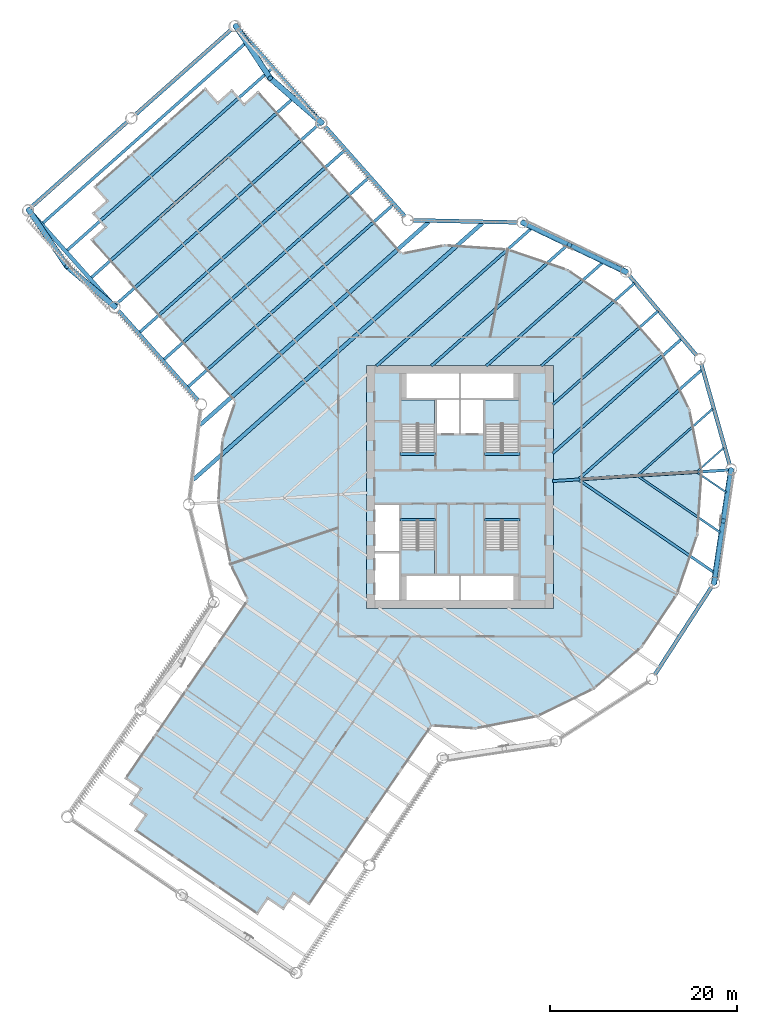
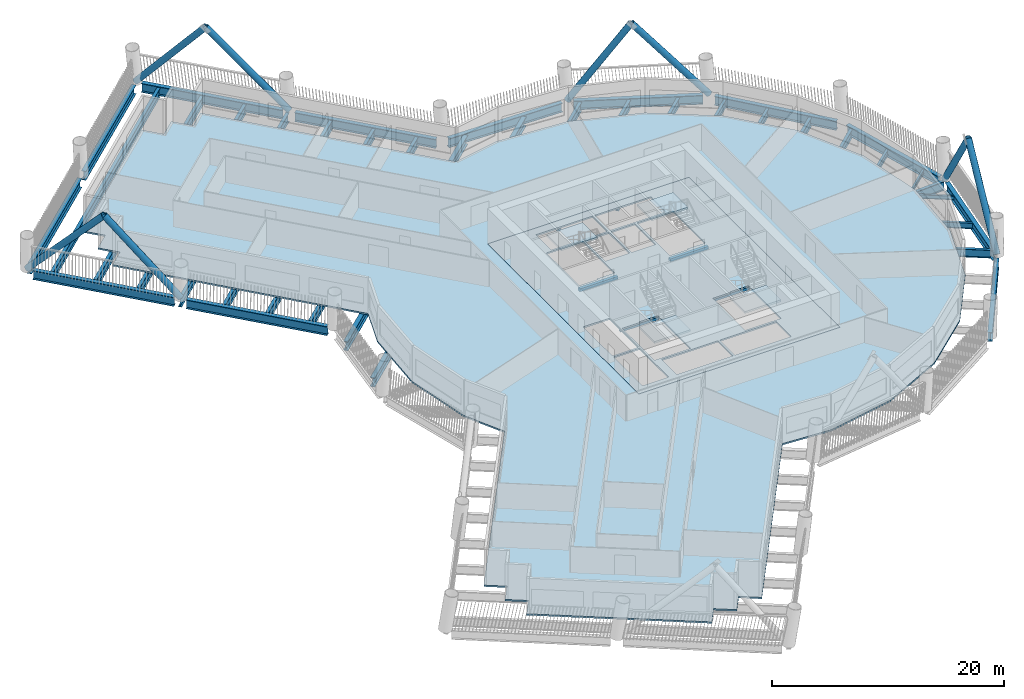
# One storey, part 2 of 22: 38 beams, 8 members, 6 slabs, 4 elements without a shape of their own.
"""IFC4 building model written with IfcOpenShell, lengths in metres."""

from ifc_helpers import new_model, si_unit, direction, frame, origin, origin_2d, place, context, subcontext, project, spatial, polyline, rectangle, hollow_circle, i_section, outline, extrude, material, layer, layer_set, material_profile, profile_set, type_object, element, aggregate, save


model = new_model("IFC4")

# Units and contexts
model_context = context("Model", 3, precision=1e-05, world=origin(), true_north=direction((0.0, 1.0)))
body_context = subcontext(model_context, "Body", "Model", "MODEL_VIEW")
ifc_project = project(units=[si_unit("LENGTHUNIT", "METRE"), si_unit("AREAUNIT", "SQUARE_METRE"), si_unit("VOLUMEUNIT", "CUBIC_METRE"), si_unit("PLANEANGLEUNIT", "RADIAN"), si_unit("MASSUNIT", "GRAM", prefix="KILO")], contexts=[model_context])

# Site, building, storey
site_placement = place(None, origin())
site = spatial("IfcSite", under=ifc_project, at=site_placement, CompositionType="ELEMENT")
building_placement = place(site_placement, origin())
building = spatial("IfcBuilding", under=site, at=building_placement, Name="Tarsis Ring Headquarters", CompositionType="ELEMENT")
storey_placement = place(building_placement, frame((0.0, 0.0, 55.60009765625)))
storey = spatial("IfcBuildingStorey", under=building, at=storey_placement, Name="L11", CompositionType="ELEMENT", Elevation=55.60009765625)

# Beams
ifc_material_1 = material(Name="Structural steel S355", Category="steel")
ifc_material_profile_1 = material_profile(ifc_material_1, i_section(OverallWidth=0.177734375, OverallDepth=0.406494140625, WebThickness=0.0078125, FlangeThickness=0.0126953125, at=origin_2d()), Name="W16x40")
ifc_profile_set_1 = profile_set([ifc_material_profile_1], Name="Structural steel S355")
beam_type_1 = type_object("IfcBeamType", Name="FB Floor beam W16x40", PredefinedType="JOIST", material=ifc_profile_set_1)
for number, where, z_axis, x_axis, name in (
    (1, (25.413818359375, 1.50537109375, -0.36328125), (0.825089534919, -0.565001999436, 0.0), (0.565001999436, 0.825089534919, 0.0), "Floor beam FB1"),
    (2, (28.199951171875, 4.176025390625, -0.36328125), (-0.747754812852, -0.663974954239, 0.0), (0.663974954239, -0.747754812852, 0.0), "Floor beam FB1"),
):
    element("IfcBeam", number, at=place(storey_placement, frame(where, z_axis=z_axis, x_axis=x_axis)), inside=storey, type_object=beam_type_1, Name=name, PredefinedType="JOIST", context=body_context, shape_type="SweptSolid", body=[
        extrude(i_section(OverallWidth=0.177734375, OverallDepth=0.406494140625, WebThickness=0.0078125, FlangeThickness=0.0126953125, at=origin_2d()), origin(), (0.0, 0.0, 1.0), 3.74169921875),
    ])
ifc_material_profile_2 = material_profile(ifc_material_1, i_section(OverallWidth=0.228271484375, OverallDepth=0.607177734375, WebThickness=0.01123046875, FlangeThickness=0.017333984375, at=origin_2d()), Name="W24x76")
ifc_profile_set_2 = profile_set([ifc_material_profile_2], Name="Structural steel S355")
beam_type_2 = type_object("IfcBeamType", Name="FB Floor beam W24x76", PredefinedType="JOIST", material=ifc_profile_set_2)
for number, where, z_axis, x_axis, name in (
    (3, (19.091552734375, 1.107666015625, -0.463623046875), (0.825108185266, -0.564974762805, 0.0), (0.564974762805, 0.825108185266, 0.0), "Floor beam FB4"),
    (4, (27.0224609375, 8.345703125, -0.463623046875), (-0.747799791026, -0.663924297298, 0.0), (0.663924297298, -0.747799791026, 0.0), "Floor beam FB4"),
):
    element("IfcBeam", number, at=place(storey_placement, frame(where, z_axis=z_axis, x_axis=x_axis)), inside=storey, type_object=beam_type_2, Name=name, PredefinedType="JOIST", context=body_context, shape_type="SweptSolid", body=[
        extrude(i_section(OverallWidth=0.228271484375, OverallDepth=0.607177734375, WebThickness=0.01123046875, FlangeThickness=0.017333984375, at=origin_2d()), origin(), (0.0, 0.0, 1.0), 10.621337890625),
    ])
ifc_material_profile_3 = material_profile(ifc_material_1, i_section(OverallWidth=0.2666015625, OverallDepth=0.7568359375, WebThickness=0.013916015625, FlangeThickness=0.019287109375, at=origin_2d()), Name="W30x108")
ifc_profile_set_3 = profile_set([ifc_material_profile_3], Name="Structural steel S355")
beam_type_3 = type_object("IfcBeamType", Name="FB Floor beam W30x108", PredefinedType="JOIST", material=ifc_profile_set_3)
beam_1_placement = place(storey_placement, frame((21.157470703125, 18.784423828125, -0.53857421875), z_axis=(-0.747797493331, -0.663926885258, 0.0), x_axis=(0.663926885258, -0.747797493331, 0.0)))
element("IfcBeam", 5, at=beam_1_placement, inside=storey, type_object=beam_type_3, Name="Floor beam FB6", PredefinedType="JOIST", context=body_context, shape_type="SweptSolid", body=[
    extrude(i_section(OverallWidth=0.2666015625, OverallDepth=0.7568359375, WebThickness=0.013916015625, FlangeThickness=0.019287109375, at=origin_2d()), origin(), (0.0, 0.0, 1.0), 15.020263671875),
])
beam_2_placement = place(storey_placement, frame((18.643798828125, 21.76806640625, -0.53857421875), z_axis=(-0.747795884989, -0.663928696769, 0.0), x_axis=(0.663928696769, -0.747795884989, 0.0)))
element("IfcBeam", 6, at=beam_2_placement, inside=storey, type_object=beam_type_3, Name="Floor beam FB6", PredefinedType="JOIST", context=body_context, shape_type="SweptSolid", body=[
    extrude(i_section(OverallWidth=0.2666015625, OverallDepth=0.7568359375, WebThickness=0.013916015625, FlangeThickness=0.019287109375, at=origin_2d()), origin(), (0.0, 0.0, 1.0), 13.306396484375),
])
ifc_material_profile_4 = material_profile(ifc_material_1, i_section(OverallWidth=0.2919921875, OverallDepth=0.835693359375, WebThickness=0.013916015625, FlangeThickness=0.018798828125, at=origin_2d()), Name="W33x118")
ifc_profile_set_4 = profile_set([ifc_material_profile_4], Name="Structural steel S355")
beam_type_4 = type_object("IfcBeamType", Name="FB Floor beam W33x118", PredefinedType="JOIST", material=ifc_profile_set_4)
beam_3_placement = place(storey_placement, frame((12.76953125, 0.709716796875, -0.577880859375), z_axis=(0.825114222839, -0.564965945229, 0.0), x_axis=(0.564965945229, 0.825114222839, 0.0)))
element("IfcBeam", 7, at=beam_3_placement, inside=storey, type_object=beam_type_4, Name="Floor beam FB7", PredefinedType="JOIST", context=body_context, shape_type="SweptSolid", body=[
    extrude(i_section(OverallWidth=0.2919921875, OverallDepth=0.835693359375, WebThickness=0.013916015625, FlangeThickness=0.018798828125, at=origin_2d()), origin(), (0.0, 0.0, 1.0), 17.50048828125),
])
beam_4_placement = place(storey_placement, frame((25.8447265625, 12.515380859375, -0.577880859375), z_axis=(-0.747797108537, -0.663927318661, 0.0), x_axis=(0.663927318661, -0.747797108537, 0.0)))
element("IfcBeam", 8, at=beam_4_placement, inside=storey, type_object=beam_type_4, Name="Floor beam FB7", PredefinedType="JOIST", context=body_context, shape_type="SweptSolid", body=[
    extrude(i_section(OverallWidth=0.2919921875, OverallDepth=0.835693359375, WebThickness=0.013916015625, FlangeThickness=0.018798828125, at=origin_2d()), origin(), (0.0, 0.0, 1.0), 17.500732421875),
])
beam_5_placement = place(storey_placement, frame((15.308837890625, 24.0224609375, -0.577880859375), z_axis=(-0.747799526012, -0.663924595791, 0.0), x_axis=(0.663924595791, -0.747799526012, 0.0)))
element("IfcBeam", 9, at=beam_5_placement, inside=storey, type_object=beam_type_4, Name="Floor beam FB7", PredefinedType="JOIST", context=body_context, shape_type="SweptSolid", body=[
    extrude(i_section(OverallWidth=0.2919921875, OverallDepth=0.835693359375, WebThickness=0.013916015625, FlangeThickness=0.018798828125, at=origin_2d()), origin(), (0.0, 0.0, 1.0), 16.701904296875),
])
ifc_material_profile_5 = material_profile(ifc_material_1, i_section(OverallWidth=0.3046875, OverallDepth=0.904296875, WebThickness=0.01513671875, FlangeThickness=0.02001953125, at=origin_2d()), Name="W36x135")
ifc_profile_set_5 = profile_set([ifc_material_profile_5], Name="Structural steel S355")
beam_type_5 = type_object("IfcBeamType", Name="FB Floor beam W36x135", PredefinedType="JOIST", material=ifc_profile_set_5)
beam_6_placement = place(storey_placement, frame((23.671142578125, 15.80078125, -0.6123046875), z_axis=(-0.747799030531, -0.663925153867, 0.0), x_axis=(0.663925153867, -0.747799030531, 0.0)))
element("IfcBeam", 10, at=beam_6_placement, inside=storey, type_object=beam_type_5, Name="Floor beam FB8", PredefinedType="JOIST", context=body_context, shape_type="SweptSolid", body=[
    extrude(i_section(OverallWidth=0.3046875, OverallDepth=0.904296875, WebThickness=0.01513671875, FlangeThickness=0.02001953125, at=origin_2d()), origin(), (0.0, 0.0, 1.0), 18.3818359375),
])
beam_7_placement = place(storey_placement, frame((11.490234375, 25.847412109375, -0.6123046875), z_axis=(-0.747797690278, -0.663926663431, 0.0), x_axis=(0.663926663431, -0.747797690278, 0.0)))
element("IfcBeam", 11, at=beam_7_placement, inside=storey, type_object=beam_type_5, Name="Floor beam FB8", PredefinedType="JOIST", context=body_context, shape_type="SweptSolid", body=[
    extrude(i_section(OverallWidth=0.3046875, OverallDepth=0.904296875, WebThickness=0.01513671875, FlangeThickness=0.02001953125, at=origin_2d()), origin(), (0.0, 0.0, 1.0), 19.45068359375),
])
ifc_material_profile_6 = material_profile(ifc_material_1, i_section(OverallWidth=0.3046875, OverallDepth=0.91943359375, WebThickness=0.017333984375, FlangeThickness=0.02783203125, at=origin_2d()), Name="W36x170")
ifc_profile_set_6 = profile_set([ifc_material_profile_6], Name="Structural steel S355")
beam_type_6 = type_object("IfcBeamType", Name="FB Floor beam W36x170", PredefinedType="JOIST", material=ifc_profile_set_6)
beam_8_placement = place(storey_placement, frame((7.671630859375, 27.67236328125, -0.619873046875), z_axis=(-0.747801156845, -0.663922758927, 0.0), x_axis=(0.663922758927, -0.747801156845, 0.0)))
element("IfcBeam", 12, at=beam_8_placement, inside=storey, type_object=beam_type_6, Name="Floor beam FB9", PredefinedType="JOIST", context=body_context, shape_type="SweptSolid", body=[
    extrude(i_section(OverallWidth=0.3046875, OverallDepth=0.91943359375, WebThickness=0.017333984375, FlangeThickness=0.02783203125, at=origin_2d()), origin(), (0.0, 0.0, 1.0), 22.199462890625),
])
ifc_material_profile_7 = material_profile(ifc_material_1, i_section(OverallWidth=0.309814453125, OverallDepth=0.949951171875, WebThickness=0.0244140625, FlangeThickness=0.0439453125, at=origin_2d()), Name="W36x256")
ifc_profile_set_7 = profile_set([ifc_material_profile_7], Name="Structural steel S355")
beam_type_7 = type_object("IfcBeamType", Name="FB Floor beam W36x256", PredefinedType="JOIST", material=ifc_profile_set_7)
beam_9_placement = place(storey_placement, frame((-7.1416015625, 30.16650390625, -0.635009765625), z_axis=(-0.747798943027, -0.663925252425, 0.0), x_axis=(0.663925252425, -0.747798943027, 0.0)))
element("IfcBeam", 13, at=beam_9_placement, inside=storey, type_object=beam_type_7, Name="Floor beam FB11", PredefinedType="JOIST", context=body_context, shape_type="SweptSolid", body=[
    extrude(i_section(OverallWidth=0.309814453125, OverallDepth=0.949951171875, WebThickness=0.0244140625, FlangeThickness=0.0439453125, at=origin_2d()), origin(), (0.0, 0.0, 1.0), 29.3759765625),
])
for number, where, z_axis, x_axis, name in (
    (14, (-9.73095703125, 33.0830078125, -0.635009765625), (-0.747795279572, -0.663929378662, 0.0), (0.663929378662, -0.747795279572, 0.0), "Floor beam FB11"),
    (15, (-12.3203125, 35.99951171875, -0.635009765625), (-0.747795279572, -0.663929378662, 0.0), (0.663929378662, -0.747795279572, 0.0), "Floor beam FB11"),
):
    element("IfcBeam", number, at=place(storey_placement, frame(where, z_axis=z_axis, x_axis=x_axis)), inside=storey, type_object=beam_type_7, Name=name, PredefinedType="JOIST", context=body_context, shape_type="SweptSolid", body=[
        extrude(i_section(OverallWidth=0.309814453125, OverallDepth=0.949951171875, WebThickness=0.0244140625, FlangeThickness=0.0439453125, at=origin_2d()), origin(), (0.0, 0.0, 1.0), 29.375732421875),
    ])
for number, where, z_axis, x_axis, name in (
    (16, (-14.909423828125, 38.915771484375, -0.635009765625), (-0.747798943027, -0.663925252425, 0.0), (0.663925252425, -0.747798943027, 0.0), "Floor beam FB11"),
    (17, (-17.498779296875, 41.832275390625, -0.635009765625), (-0.747798943027, -0.663925252425, 0.0), (0.663925252425, -0.747798943027, 0.0), "Floor beam FB11"),
):
    element("IfcBeam", number, at=place(storey_placement, frame(where, z_axis=z_axis, x_axis=x_axis)), inside=storey, type_object=beam_type_7, Name=name, PredefinedType="JOIST", context=body_context, shape_type="SweptSolid", body=[
        extrude(i_section(OverallWidth=0.309814453125, OverallDepth=0.949951171875, WebThickness=0.0244140625, FlangeThickness=0.0439453125, at=origin_2d()), origin(), (0.0, 0.0, 1.0), 29.3759765625),
    ])
for number, where, z_axis, x_axis, name in (
    (18, (-20.088134765625, 44.74853515625, -0.635009765625), (-0.747803069257, -0.663920604899, 0.0), (0.663920604899, -0.747803069257, 0.0), "Floor beam FB11"),
    (19, (-22.677490234375, 47.6650390625, -0.635009765625), (-0.747795279572, -0.663929378662, 0.0), (0.663929378662, -0.747795279572, 0.0), "Floor beam FB11"),
):
    element("IfcBeam", number, at=place(storey_placement, frame(where, z_axis=z_axis, x_axis=x_axis)), inside=storey, type_object=beam_type_7, Name=name, PredefinedType="JOIST", context=body_context, shape_type="SweptSolid", body=[
        extrude(i_section(OverallWidth=0.309814453125, OverallDepth=0.949951171875, WebThickness=0.0244140625, FlangeThickness=0.0439453125, at=origin_2d()), origin(), (0.0, 0.0, 1.0), 29.375732421875),
    ])
beam_type_8 = type_object("IfcBeamType", Name="FB Floor beam W36x256 spine", PredefinedType="BEAM", material=ifc_profile_set_7)
beam_10_placement = place(storey_placement, frame((28.87451171875, 1.816650390625, -0.635009765625), z_axis=(-0.998026458854, -0.062794804151, 0.0), x_axis=(0.062794804151, -0.998026458854, 0.0)))
element("IfcBeam", 20, at=beam_10_placement, inside=storey, type_object=beam_type_8, Name="Floor beam SB11", PredefinedType="BEAM", context=body_context, shape_type="SweptSolid", body=[
    extrude(i_section(OverallWidth=0.309814453125, OverallDepth=0.949951171875, WebThickness=0.0244140625, FlangeThickness=0.0439453125, at=origin_2d()), origin(), (0.0, 0.0, 1.0), 19.011962890625),
])
ifc_material_profile_8 = material_profile(ifc_material_1, i_section(OverallWidth=0.42431640625, OverallDepth=0.947509765625, WebThickness=0.02392578125, FlangeThickness=0.042724609375, at=origin_2d()), Name="W36x302")
ifc_profile_set_8 = profile_set([ifc_material_profile_8], Name="Structural steel S355")
beam_type_9 = type_object("IfcBeamType", Name="FB Floor beam W36x302", PredefinedType="JOIST", material=ifc_profile_set_8)
beam_11_placement = place(storey_placement, frame((2.39990234375, 28.207275390625, -0.6337890625), z_axis=(-0.747799736517, -0.663924358693, 0.0), x_axis=(0.663924358693, -0.747799736517, 0.0)))
element("IfcBeam", 21, at=beam_11_placement, inside=storey, type_object=beam_type_9, Name="Floor beam FB12", PredefinedType="JOIST", context=body_context, shape_type="SweptSolid", body=[
    extrude(i_section(OverallWidth=0.42431640625, OverallDepth=0.947509765625, WebThickness=0.02392578125, FlangeThickness=0.042724609375, at=origin_2d()), origin(), (0.0, 0.0, 1.0), 41.35302734375),
])
beam_12_placement = place(storey_placement, frame((-3.338623046875, 28.32763671875, -0.6337890625), z_axis=(-0.747796752599, -0.663927719562, 0.0), x_axis=(0.663927719562, -0.747796752599, 0.0)))
element("IfcBeam", 22, at=beam_12_placement, inside=storey, type_object=beam_type_9, Name="Floor beam FB12", PredefinedType="JOIST", context=body_context, shape_type="SweptSolid", body=[
    extrude(i_section(OverallWidth=0.42431640625, OverallDepth=0.947509765625, WebThickness=0.02392578125, FlangeThickness=0.042724609375, at=origin_2d()), origin(), (0.0, 0.0, 1.0), 32.704833984375),
])
ifc_material_2 = material(Name="Concrete C40/50", Category="concrete")
ifc_material_profile_9 = material_profile(ifc_material_2, rectangle(XDim=0.300048828125, YDim=0.300048828125, at=origin_2d()), Name="Stair head beam 300x300 C40/50")
ifc_profile_set_9 = profile_set([ifc_material_profile_9], Name="Concrete C40/50")
beam_type_10 = type_object("IfcBeamType", Name="Stair head beam 300x300 C40/50", PredefinedType="BEAM", material=ifc_profile_set_9)
for number, where, z_axis, x_axis, name in (
    (23, (-6.39990234375, 3.510009765625, -0.31005859375), (1.0, 0.0, 0.0), (0.0, 1.0, 0.0), "Stair head beam L11 Firefighting stair"),
    (24, (2.60009765625, 3.510009765625, -0.31005859375), (1.0, 0.0, 0.0), (0.0, 1.0, 0.0), "Stair head beam L11 Exit stair B"),
    (25, (-6.39990234375, -3.510009765625, -0.31005859375), (1.0, 0.0, 0.0), (0.0, 1.0, 0.0), "Stair head beam L11 Exit stair C"),
    (26, (2.60009765625, -3.510009765625, -0.31005859375), (1.0, 0.0, 0.0), (0.0, 1.0, 0.0), "Stair head beam L11 Exit stair D"),
):
    element("IfcBeam", number, at=place(storey_placement, frame(where, z_axis=z_axis, x_axis=x_axis)), inside=storey, type_object=beam_type_10, Name=name, PredefinedType="BEAM", context=body_context, shape_type="SweptSolid", body=[
        extrude(rectangle(XDim=0.300048828125, YDim=0.300048828125, at=origin_2d()), origin(), (0.0, 0.0, 1.0), 3.7998046875),
    ])

# Members
ifc_material_profile_10 = material_profile(ifc_material_1, hollow_circle(Radius=0.3046875, WallThickness=0.02490234375, at=origin_2d()), Name="CHS 610x25")
ifc_profile_set_10 = profile_set([ifc_material_profile_10], Name="Structural steel S355")
member_type = type_object("IfcMemberType", Name="XD X brace CHS 610x25", PredefinedType="BRACE", material=ifc_profile_set_10)
member_1_placement = place(storey_placement, frame((27.16552734375, -10.2880859375, 0.0), z_axis=(0.096685344129, 0.645470124234, 0.757641249505), x_axis=(-0.988966714958, 0.1481378976, 0.0)))
element("IfcMember", 27, at=member_1_placement, inside=storey, type_object=member_type, Name="X brace XD1", PredefinedType="BRACE", context=body_context, shape_type="SweptSolid", body=[
    extrude(hollow_circle(Radius=0.3046875, WallThickness=0.02490234375, at=origin_2d()), origin(), (0.0, 0.0, 1.0), 10.294921875),
])
member_2_placement = place(storey_placement, frame((28.9912109375, 1.823974609375, 0.0), z_axis=(-0.086843662058, -0.571799507342, 0.81578397984), x_axis=(0.988662334662, -0.150155879078, 0.0)))
element("IfcMember", 28, at=member_2_placement, inside=storey, type_object=member_type, Name="X brace XD1", PredefinedType="BRACE", context=body_context, shape_type="SweptSolid", body=[
    extrude(hollow_circle(Radius=0.3046875, WallThickness=0.02490234375, at=origin_2d()), origin(), (0.0, 0.0, 1.0), 9.56103515625),
])
member_3_placement = place(storey_placement, frame((17.77001953125, 22.979248046875, 0.0), z_axis=(-0.58914517156, 0.280877326086, 0.757638366583), x_axis=(-0.430348193906, -0.902662967005, 0.0)))
element("IfcMember", 29, at=member_3_placement, inside=storey, type_object=member_type, Name="X brace XD1", PredefinedType="BRACE", context=body_context, shape_type="SweptSolid", body=[
    extrude(hollow_circle(Radius=0.3046875, WallThickness=0.02490234375, at=origin_2d()), origin(), (0.0, 0.0, 1.0), 10.294921875),
])
member_4_placement = place(storey_placement, frame((6.71826171875, 28.260986328125, 0.0), z_axis=(0.521545181385, -0.249984201995, 0.815780928024), x_axis=(0.432228643278, 0.901764048923, 0.0)))
element("IfcMember", 30, at=member_4_placement, inside=storey, type_object=member_type, Name="X brace XD1", PredefinedType="BRACE", context=body_context, shape_type="SweptSolid", body=[
    extrude(hollow_circle(Radius=0.3046875, WallThickness=0.02490234375, at=origin_2d()), origin(), (0.0, 0.0, 1.0), 9.56103515625),
])
member_5_placement = place(storey_placement, frame((-14.7578125, 38.913818359375, 0.0), z_axis=(-0.517589121782, 0.447268235364, 0.729419376386), x_axis=(-0.653837084069, -0.756635359665, 0.0)))
element("IfcMember", 31, at=member_5_placement, inside=storey, type_object=member_type, Name="X brace XD1", PredefinedType="BRACE", context=body_context, shape_type="SweptSolid", body=[
    extrude(hollow_circle(Radius=0.3046875, WallThickness=0.02490234375, at=origin_2d()), origin(), (0.0, 0.0, 1.0), 10.693115234375),
])
member_6_placement = place(storey_placement, frame((-23.98779296875, 49.309814453125, 0.0), z_axis=(0.358918423468, -0.545206949813, 0.757579663911), x_axis=(0.835255509935, 0.549862012803, 0.0)))
element("IfcMember", 32, at=member_6_placement, inside=storey, type_object=member_type, Name="X brace XD1", PredefinedType="BRACE", context=body_context, shape_type="SweptSolid", body=[
    extrude(hollow_circle(Radius=0.3046875, WallThickness=0.02490234375, at=origin_2d()), origin(), (0.0, 0.0, 1.0), 10.295654296875),
])
member_7_placement = place(storey_placement, frame((-46.122802734375, 29.65771484375, 0.0), z_axis=(0.384079463149, -0.567214425362, 0.728526431674), x_axis=(0.828028869892, 0.560685464967, 0.0)))
element("IfcMember", 33, at=member_7_placement, inside=storey, type_object=member_type, Name="X brace XD1", PredefinedType="BRACE", context=body_context, shape_type="SweptSolid", body=[
    extrude(hollow_circle(Radius=0.3046875, WallThickness=0.02490234375, at=origin_2d()), origin(), (0.0, 0.0, 1.0), 10.706298828125),
])
member_8_placement = place(storey_placement, frame((-36.892578125, 19.261474609375, 0.0), z_axis=(-0.497765932867, 0.420479722626, 0.758568308683), x_axis=(-0.645309854794, -0.763920932627, 0.0)))
element("IfcMember", 34, at=member_8_placement, inside=storey, type_object=member_type, Name="X brace XD1", PredefinedType="BRACE", context=body_context, shape_type="SweptSolid", body=[
    extrude(hollow_circle(Radius=0.3046875, WallThickness=0.02490234375, at=origin_2d()), origin(), (0.0, 0.0, 1.0), 10.2822265625),
])

# Beams
beam_type_11 = type_object("IfcBeamType", Name="XG Ring girder W36x302", PredefinedType="BEAM", material=ifc_profile_set_8)
for number, where, z_axis, x_axis, name in (
    (35, (20.80810546875, -20.1103515625, -0.473876953125), (0.543357480604, 0.839501428392, 0.0), (-0.839501428392, 0.543357480604, 0.0), "Ring girder XG1"),
    (36, (27.247314453125, -9.74560546875, -0.473876953125), (0.149045908027, 0.988830277298, 0.0), (-0.988830277298, 0.149045908027, 0.0), "Ring girder XG1"),
    (37, (28.842041015625, 2.35205078125, -0.473876953125), (-0.27180230355, 0.962353109718, 0.0), (-0.962353109718, -0.27180230355, 0.0), "Ring girder XG1"),
    (38, (25.30859375, 14.03125, -0.473876953125), (-0.64430966635, 0.764764704891, 0.0), (-0.764764704891, -0.64430966635, 0.0), "Ring girder XG1"),
    (39, (17.27490234375, 23.2158203125, -0.473876953125), (-0.902254227711, 0.431204485805, 0.0), (-0.431204485805, -0.902254227711, 0.0), "Ring girder XG1"),
    (40, (6.169921875, 28.2724609375, -0.473876953125), (-0.99978049425, 0.020951451442, 0.0), (-0.020951451442, -0.99978049425, 0.0), "Ring girder XG1"),
):
    element("IfcBeam", number, at=place(storey_placement, frame(where, z_axis=z_axis, x_axis=x_axis)), inside=storey, type_object=beam_type_11, Name=name, PredefinedType="BEAM", context=body_context, shape_type="SweptSolid", body=[
        extrude(i_section(OverallWidth=0.42431640625, OverallDepth=0.947509765625, WebThickness=0.02392578125, FlangeThickness=0.042724609375, at=origin_2d()), origin(), (0.0, 0.0, 1.0), 11.151611328125),
    ])
for number, where, z_axis, x_axis, name in (
    (41, (-5.89208984375, 28.927978515625, -0.473876953125), (-0.663925857933, 0.747798405433, 0.0), (-0.747798405433, -0.663925857933, 0.0), "Ring girder XG1"),
    (42, (-15.1220703125, 39.323974609375, -0.473876953125), (-0.663916391939, 0.747806809621, 0.0), (-0.747806809621, -0.663916391939, 0.0), "Ring girder XG1"),
):
    element("IfcBeam", number, at=place(storey_placement, frame(where, z_axis=z_axis, x_axis=x_axis)), inside=storey, type_object=beam_type_11, Name=name, PredefinedType="BEAM", context=body_context, shape_type="SweptSolid", body=[
        extrude(i_section(OverallWidth=0.42431640625, OverallDepth=0.947509765625, WebThickness=0.02392578125, FlangeThickness=0.042724609375, at=origin_2d()), origin(), (0.0, 0.0, 1.0), 12.804931640625),
    ])
for number, where, z_axis, x_axis, name in (
    (43, (-24.398193359375, 48.945556640625, -0.473876953125), (-0.747794530238, -0.663930222649, 0.0), (0.663930222649, -0.747794530238, 0.0), "Ring girder XG1"),
    (44, (-35.465576171875, 39.119384765625, -0.473876953125), (-0.747803376088, -0.663920259302, 0.0), (0.663920259302, -0.747803376088, 0.0), "Ring girder XG1"),
):
    element("IfcBeam", number, at=place(storey_placement, frame(where, z_axis=z_axis, x_axis=x_axis)), inside=storey, type_object=beam_type_11, Name=name, PredefinedType="BEAM", context=body_context, shape_type="SweptSolid", body=[
        extrude(i_section(OverallWidth=0.42431640625, OverallDepth=0.947509765625, WebThickness=0.02392578125, FlangeThickness=0.042724609375, at=origin_2d()), origin(), (0.0, 0.0, 1.0), 13.70263671875),
    ])
for number, where, z_axis, x_axis, name in (
    (45, (-45.758544921875, 29.247314453125, -0.473876953125), (0.663936519639, -0.747788939401, 0.0), (0.747788939401, 0.663936519639, 0.0), "Ring girder XG1"),
    (46, (-36.5283203125, 18.851318359375, -0.473876953125), (0.663925857933, -0.747798405433, 0.0), (0.747798405433, 0.663925857933, 0.0), "Ring girder XG1"),
):
    element("IfcBeam", number, at=place(storey_placement, frame(where, z_axis=z_axis, x_axis=x_axis)), inside=storey, type_object=beam_type_11, Name=name, PredefinedType="BEAM", context=body_context, shape_type="SweptSolid", body=[
        extrude(i_section(OverallWidth=0.42431640625, OverallDepth=0.947509765625, WebThickness=0.02392578125, FlangeThickness=0.042724609375, at=origin_2d()), origin(), (0.0, 0.0, 1.0), 12.804931640625),
    ])

# Slab
ifc_layer_1 = layer(ifc_material_2, 0.159912109375)
ifc_layer_set_1 = layer_set([ifc_layer_1], Name="Core floor slab 160 C40/50")
slab_type_1 = type_object("IfcSlabType", Name="Core floor slab 160 C40/50", PredefinedType="FLOOR", material=ifc_layer_set_1)
slab_1_placement = place(storey_placement, frame((0.0, 0.0, -0.16015625)))
element("IfcSlab", 47, at=slab_1_placement, inside=storey, type_object=slab_type_1, Name="L11 core floor slab", PredefinedType="FLOOR", context=body_context, shape_type="SweptSolid", body=[
    extrude(outline(polyline([(-10.0, -13.0), (10.0, -13.0), (10.0, 13.0), (-10.0, 13.0), (-10.0, -13.0)]), holes=[polyline([(-2.5, 5.699951171875), (-0.10009765625, 5.699951171875), (-0.10009765625, 9.300048828125), (-2.5, 9.300048828125), (-2.5, 5.699951171875)]), polyline([(0.10009765625, 5.699951171875), (2.5, 5.699951171875), (2.5, 9.300048828125), (0.10009765625, 9.300048828125), (0.10009765625, 5.699951171875)]), polyline([(-9.10009765625, -12.10009765625), (-6.5, -12.10009765625), (-6.5, -7.10009765625), (-9.10009765625, -7.10009765625), (-9.10009765625, -12.10009765625)]), polyline([(-9.10009765625, -6.89990234375), (-6.5, -6.89990234375), (-6.5, -1.89990234375), (-9.10009765625, -1.89990234375), (-9.10009765625, -6.89990234375)]), polyline([(-5.699951171875, 9.5), (-0.10009765625, 9.5), (-0.10009765625, 12.10009765625), (-5.699951171875, 12.10009765625), (-5.699951171875, 9.5)]), polyline([(0.10009765625, 9.5), (5.699951171875, 9.5), (5.699951171875, 12.10009765625), (0.10009765625, 12.10009765625), (0.10009765625, 9.5)]), polyline([(-5.699951171875, -12.10009765625), (-0.10009765625, -12.10009765625), (-0.10009765625, -9.5), (-5.699951171875, -9.5), (-5.699951171875, -12.10009765625)]), polyline([(0.10009765625, -12.10009765625), (5.699951171875, -12.10009765625), (5.699951171875, -9.5), (0.10009765625, -9.5), (0.10009765625, -12.10009765625)]), polyline([(-2.699951171875, 3.760009765625), (-2.699951171875, 9.300048828125), (-6.300048828125, 9.300048828125), (-6.300048828125, 3.659912109375), (-4.4599609375, 3.659912109375), (-4.4599609375, 3.760009765625), (-2.699951171875, 3.760009765625)]), polyline([(6.300048828125, 3.760009765625), (6.300048828125, 9.300048828125), (2.699951171875, 9.300048828125), (2.699951171875, 3.659912109375), (4.5400390625, 3.659912109375), (4.5400390625, 3.760009765625), (6.300048828125, 3.760009765625)]), polyline([(-6.300048828125, -3.760009765625), (-6.300048828125, -9.300048828125), (-2.699951171875, -9.300048828125), (-2.699951171875, -3.659912109375), (-4.5400390625, -3.659912109375), (-4.5400390625, -3.760009765625), (-6.300048828125, -3.760009765625)]), polyline([(2.699951171875, -3.760009765625), (2.699951171875, -9.300048828125), (6.300048828125, -9.300048828125), (6.300048828125, -3.659912109375), (4.4599609375, -3.659912109375), (4.4599609375, -3.760009765625), (2.699951171875, -3.760009765625)])]), origin(), (0.0, 0.0, 1.0), 0.16015625),
])

# Stair, slab
ifc_material_3 = material(Name="Core stair 1760")
stair_type = type_object("IfcStairType", Name="Core stair 1760", PredefinedType="HALF_TURN_STAIR", material=ifc_material_3)
stair_1_placement = place(storey_placement, origin())
stair_1 = element("IfcStair", 48, at=stair_1_placement, inside=storey, type_object=stair_type, Name="L11 Firefighting stair", PredefinedType="HALF_TURN_STAIR")
ifc_layer_2 = layer(ifc_material_2, 0.199951171875)
ifc_layer_set_2 = layer_set([ifc_layer_2], Name="Core stair landing 200")
slab_type_2 = type_object("IfcSlabType", Name="Core stair landing 200", PredefinedType="LANDING", material=ifc_layer_set_2)
slab_2_placement = place(storey_placement, frame((0.0, 0.0, 1.75)))
slab_2 = element("IfcSlab", 49, at=slab_2_placement, type_object=slab_type_2, Name="Stair ST1 landing 1", PredefinedType="LANDING", context=body_context, shape_type="SweptSolid", body=[
    extrude(outline(polyline([(-2.699951171875, 6.739990234375), (-2.699951171875, 9.300048828125), (-6.300048828125, 9.300048828125), (-6.300048828125, 6.739990234375), (-2.699951171875, 6.739990234375)])), origin(), (0.0, 0.0, 1.0), 0.199951171875),
])
aggregate(stair_1, [slab_2])

stair_2_placement = place(storey_placement, origin())
stair_2 = element("IfcStair", 50, at=stair_2_placement, inside=storey, type_object=stair_type, Name="L11 Exit stair B", PredefinedType="HALF_TURN_STAIR")
slab_3_placement = place(storey_placement, frame((0.0, 0.0, 1.75)))
slab_3 = element("IfcSlab", 51, at=slab_3_placement, type_object=slab_type_2, Name="Stair ST2 landing 1", PredefinedType="LANDING", context=body_context, shape_type="SweptSolid", body=[
    extrude(outline(polyline([(6.300048828125, 6.739990234375), (6.300048828125, 9.300048828125), (2.699951171875, 9.300048828125), (2.699951171875, 6.739990234375), (6.300048828125, 6.739990234375)])), origin(), (0.0, 0.0, 1.0), 0.199951171875),
])
aggregate(stair_2, [slab_3])

stair_3_placement = place(storey_placement, origin())
stair_3 = element("IfcStair", 52, at=stair_3_placement, inside=storey, type_object=stair_type, Name="L11 Exit stair C", PredefinedType="HALF_TURN_STAIR")
slab_4_placement = place(storey_placement, frame((0.0, 0.0, 1.75)))
slab_4 = element("IfcSlab", 53, at=slab_4_placement, type_object=slab_type_2, Name="Stair ST3 landing 1", PredefinedType="LANDING", context=body_context, shape_type="SweptSolid", body=[
    extrude(outline(polyline([(-6.300048828125, -6.739990234375), (-6.300048828125, -9.300048828125), (-2.699951171875, -9.300048828125), (-2.699951171875, -6.739990234375), (-6.300048828125, -6.739990234375)])), origin(), (0.0, 0.0, 1.0), 0.199951171875),
])
aggregate(stair_3, [slab_4])

stair_4_placement = place(storey_placement, origin())
stair_4 = element("IfcStair", 54, at=stair_4_placement, inside=storey, type_object=stair_type, Name="L11 Exit stair D", PredefinedType="HALF_TURN_STAIR")
slab_5_placement = place(storey_placement, frame((0.0, 0.0, 1.75)))
slab_5 = element("IfcSlab", 55, at=slab_5_placement, type_object=slab_type_2, Name="Stair ST4 landing 1", PredefinedType="LANDING", context=body_context, shape_type="SweptSolid", body=[
    extrude(outline(polyline([(2.699951171875, -6.739990234375), (2.699951171875, -9.300048828125), (6.300048828125, -9.300048828125), (6.300048828125, -6.739990234375), (2.699951171875, -6.739990234375)])), origin(), (0.0, 0.0, 1.0), 0.199951171875),
])
aggregate(stair_4, [slab_5])

# Slab
ifc_material_4 = material(Name="Concrete C35/45", Category="concrete")
ifc_layer_3 = layer(ifc_material_4, 0.159912109375)
ifc_layer_set_3 = layer_set([ifc_layer_3], Name="FS Composite floor slab 160")
slab_type_3 = type_object("IfcSlabType", Name="FS Composite floor slab 160", PredefinedType="FLOOR", material=ifc_layer_set_3)
slab_6_placement = place(storey_placement, frame((0.0, 0.0, -0.16015625)))
element("IfcSlab", 56, at=slab_6_placement, inside=storey, type_object=slab_type_3, Name="Floor slab L11", PredefinedType="FLOOR", context=body_context, shape_type="SweptSolid", body=[
    extrude(outline(polyline([(-24.129638671875, 9.103515625), (-25.487060546875, 5.13916015625), (-25.94873046875, -1.632568359375), (-24.64208984375, -8.29296875), (-22.79833984375, -12.05615234375), (-35.889892578125, -31.175537109375), (-34.239501953125, -32.3056640625), (-35.36962890625, -33.955810546875), (-33.71923828125, -35.085693359375), (-34.849365234375, -36.73583984375), (-21.6474609375, -45.775390625), (-20.517578125, -44.125244140625), (-18.8671875, -45.255126953125), (-17.7373046875, -43.60498046875), (-16.087158203125, -44.73486328125), (-3.00732421875, -25.63232421875), (1.632568359375, -25.94873046875), (8.29296875, -24.64208984375), (14.38818359375, -21.656005859375), (19.5029296875, -17.194091796875), (23.28857421875, -11.560546875), (25.487060546875, -5.13916015625), (25.94873046875, 1.632568359375), (24.64208984375, 8.29296875), (21.656005859375, 14.38818359375), (17.194091796875, 19.5029296875), (11.560546875, 23.28857421875), (5.13916015625, 25.487060546875), (-1.632568359375, 25.94873046875), (-6.1962890625, 25.05322265625), (-21.567138671875, 42.36572265625), (-23.062744140625, 41.0380859375), (-24.390380859375, 42.53369140625), (-25.885986328125, 41.205810546875), (-27.2138671875, 42.701416015625), (-39.1787109375, 32.07861328125), (-37.850830078125, 30.5830078125), (-39.346435546875, 29.255126953125), (-38.0185546875, 27.759521484375), (-39.51416015625, 26.431640625), (-24.129638671875, 9.103515625)]), holes=[polyline([(-10.0, -13.0), (-10.0, 13.0), (10.0, 13.0), (10.0, -13.0), (-10.0, -13.0)])]), origin(), (0.0, 0.0, 1.0), 0.16015625),
])

save(model, "model.ifc")
